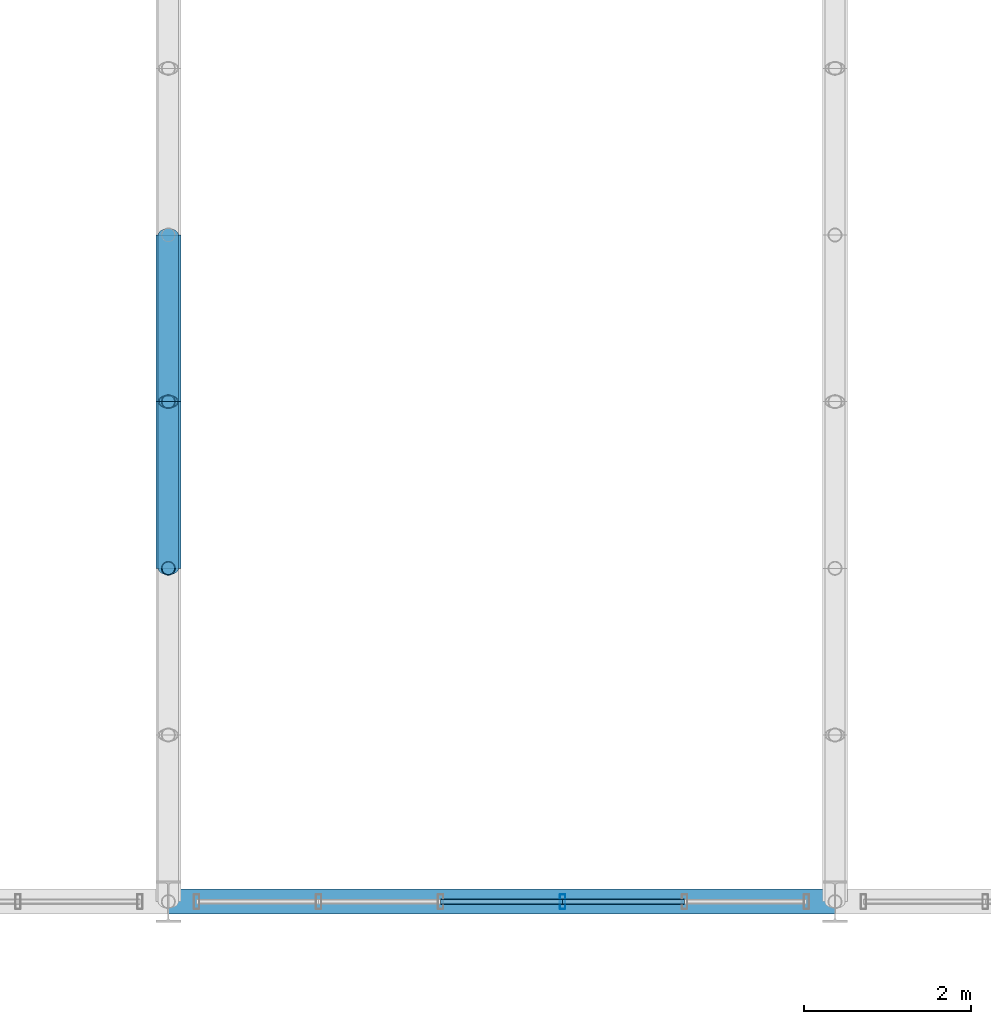
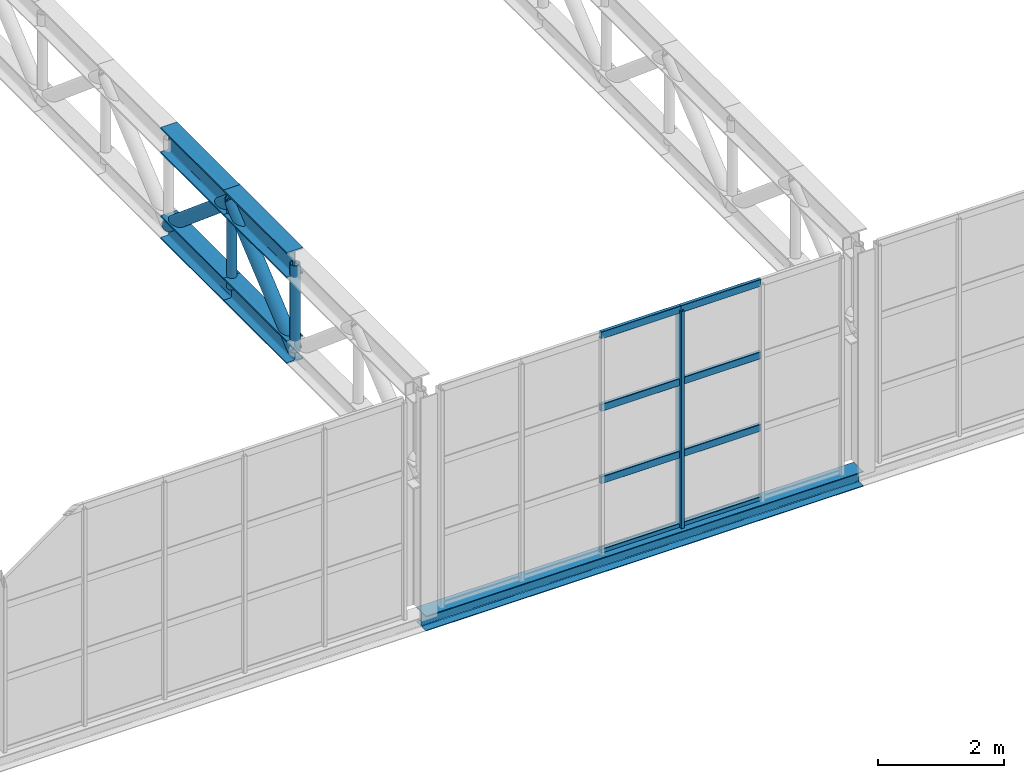
# One storey, part 38 of 143: 17 members, 1 beam, 1 element without a shape of its own.
"""IFC4 building model written with IfcOpenShell, lengths in metres."""

from ifc_helpers import new_model, si_unit, derived_unit, direction, frame, origin, origin_2d, place, context, subcontext, project, spatial, hollow_rectangle, hollow_circle, i_section, extrude, material, material_profile, profile_set, type_object, element, aggregate, save


model = new_model("IFC4")

# Units and contexts
model_context = context("Model", 3, precision=1e-05, world=origin(), true_north=direction((0.0, 1.0)))
body_context = subcontext(model_context, "Body", "Model", "MODEL_VIEW")
ifc_project = project(units=[si_unit("LENGTHUNIT", "METRE"), si_unit("AREAUNIT", "SQUARE_METRE"), si_unit("VOLUMEUNIT", "CUBIC_METRE"), si_unit("PLANEANGLEUNIT", "RADIAN"), si_unit("MASSUNIT", "GRAM", prefix="KILO"), derived_unit("THERMALTRANSMITTANCEUNIT", [(si_unit("POWERUNIT", "WATT"), 1), (si_unit("LENGTHUNIT", "METRE"), -2), (si_unit("THERMODYNAMICTEMPERATUREUNIT", "KELVIN"), -1)])], contexts=[model_context])

# Site, building, storey
site_placement = place(None, origin())
site = spatial("IfcSite", under=ifc_project, at=site_placement, CompositionType="ELEMENT")
building_placement = place(site_placement, origin())
building = spatial("IfcBuilding", under=site, at=building_placement, Name="Keldorne Ridge Multi-Sports Centre", CompositionType="ELEMENT")
storey_placement = place(building_placement, frame((0.0, 0.0, 4.800048828125)))
storey = spatial("IfcBuildingStorey", under=building, at=storey_placement, Name="L01", CompositionType="ELEMENT", Elevation=4.800048828125)

# Beam
ifc_material_1 = material(Name="Steel S355", Category="steel")
ifc_material_profile_1 = material_profile(ifc_material_1, i_section(OverallWidth=0.300048828125, OverallDepth=0.2900390625, WebThickness=0.008544921875, FlangeThickness=0.013916015625, FilletRadius=0.027099609375, at=origin_2d()), Name="HEA 300")
ifc_profile_set_1 = profile_set([ifc_material_profile_1], Name="Steel S355")
beam_type = type_object("IfcBeamType", Name="BM-SP-04", PredefinedType="SPANDREL", material=ifc_profile_set_1)
beam_placement = place(storey_placement, frame((112.0, 6.0, -0.150146484375), z_axis=(1.0, 0.0, 0.0), x_axis=(0.0, 1.0, 0.0)))
element("IfcBeam", 1, at=beam_placement, inside=storey, type_object=beam_type, Name="Stacked Courts spandrel L01.6.2", PredefinedType="SPANDREL", context=body_context, shape_type="SweptSolid", body=[
    extrude(i_section(OverallWidth=0.300048828125, OverallDepth=0.2900390625, WebThickness=0.008544921875, FlangeThickness=0.013916015625, FilletRadius=0.027099609375, at=origin_2d()), origin(), (0.0, 0.0, 1.0), 8.0),
])

# Curtain wall, member
ifc_material_2 = material(Name="Anodized aluminium", Category="aluminium")
curtain_wall_type = type_object("IfcCurtainWallType", Name="CW-CW-06", PredefinedType="NOTDEFINED", material=ifc_material_2)
curtain_wall_placement = place(storey_placement, origin())
curtain_wall = element("IfcCurtainWall", 2, at=curtain_wall_placement, inside=storey, type_object=curtain_wall_type, Name="Lower Courts high clerestory 094", PredefinedType="NOTDEFINED")
ifc_material_profile_2 = material_profile(ifc_material_2, hollow_rectangle(XDim=0.06494140625, YDim=0.179931640625, WallThickness=0.00439453125, InnerFilletRadius=0.00439453125, OuterFilletRadius=0.009033203125, at=origin_2d()), Name="ALU MULLION 180x65x4.5")
ifc_profile_set_2 = profile_set([ifc_material_profile_2], Name="Anodized aluminium")
member_type_1 = type_object("IfcMemberType", Name="MEM-ML-01", PredefinedType="MULLION", material=ifc_profile_set_2)
member_1_placement = place(storey_placement, frame((116.73193359375, 6.0, 0.0), z_axis=(0.0, 0.0, 1.0), x_axis=(1.0, 0.0, 0.0)))
member_1 = element("IfcMember", 3, at=member_1_placement, type_object=member_type_1, Name="CW-094 vertical mullion 4", PredefinedType="MULLION", context=body_context, shape_type="SweptSolid", body=[
    extrude(hollow_rectangle(XDim=0.06494140625, YDim=0.179931640625, WallThickness=0.00439453125, InnerFilletRadius=0.00439453125, OuterFilletRadius=0.009033203125, at=origin_2d()), origin(), (0.0, 0.0, 1.0), 4.199951171875),
])

# Members
ifc_material_profile_3 = material_profile(ifc_material_1, i_section(OverallWidth=0.300048828125, OverallDepth=0.5, WebThickness=0.014404296875, FlangeThickness=0.028076171875, FilletRadius=0.027099609375, at=origin_2d()), Name="HEB 500")
ifc_profile_set_3 = profile_set([ifc_material_profile_3], Name="Steel S355")
member_type_2 = type_object("IfcMemberType", Name="MEM-TC-03", PredefinedType="CHORD", material=ifc_profile_set_3)
for number, where, z_axis, x_axis, name in (
    (4, (112.0, 10.0, 4.31005859375), (0.0, 1.0, 0.0), (-1.0, 0.0, 0.0), "Stacked Courts Warren TRUSS WT-L02-02 top chord 3"),
    (5, (112.0, 12.0, 4.31005859375), (0.0, 1.0, 0.0), (-1.0, 0.0, 0.0), "Stacked Courts Warren TRUSS WT-L02-02 top chord 4"),
):
    element("IfcMember", number, at=place(storey_placement, frame(where, z_axis=z_axis, x_axis=x_axis)), inside=storey, type_object=member_type_2, Name=name, PredefinedType="CHORD", context=body_context, shape_type="SweptSolid", body=[
        extrude(i_section(OverallWidth=0.300048828125, OverallDepth=0.5, WebThickness=0.014404296875, FlangeThickness=0.028076171875, FilletRadius=0.027099609375, at=origin_2d()), origin(), (0.0, 0.0, 1.0), 2.0),
    ])
ifc_material_profile_4 = material_profile(ifc_material_1, i_section(OverallWidth=0.300048828125, OverallDepth=0.449951171875, WebThickness=0.013916015625, FlangeThickness=0.02587890625, FilletRadius=0.027099609375, at=origin_2d()), Name="HEB 450")
ifc_profile_set_4 = profile_set([ifc_material_profile_4], Name="Steel S355")
member_type_3 = type_object("IfcMemberType", Name="MEM-TC-04", PredefinedType="CHORD", material=ifc_profile_set_4)
for number, where, z_axis, x_axis, name in (
    (6, (112.0, 10.0, 2.6298828125), (0.0, 1.0, 0.0), (-1.0, 0.0, 0.0), "Stacked Courts Warren TRUSS WT-L02-02 bottom chord 3"),
    (7, (112.0, 12.0, 2.6298828125), (0.0, 1.0, 0.0), (-1.0, 0.0, 0.0), "Stacked Courts Warren TRUSS WT-L02-02 bottom chord 4"),
):
    element("IfcMember", number, at=place(storey_placement, frame(where, z_axis=z_axis, x_axis=x_axis)), inside=storey, type_object=member_type_3, Name=name, PredefinedType="CHORD", context=body_context, shape_type="SweptSolid", body=[
        extrude(i_section(OverallWidth=0.300048828125, OverallDepth=0.449951171875, WebThickness=0.013916015625, FlangeThickness=0.02587890625, FilletRadius=0.027099609375, at=origin_2d()), origin(), (0.0, 0.0, 1.0), 2.0),
    ])
ifc_material_profile_5 = material_profile(ifc_material_1, hollow_circle(Radius=0.122314453125, WallThickness=0.012451171875, at=origin_2d()), Name="CHS 244.5x12.5")
ifc_profile_set_5 = profile_set([ifc_material_profile_5], Name="Steel S355")
member_type_4 = type_object("IfcMemberType", Name="MEM-TD-02", PredefinedType="BRACE", material=ifc_profile_set_5)
for number, where, z_axis, x_axis, name in (
    (8, (112.0, 10.0, 2.6298828125), (0.0, 0.765671721121, 0.643231541108), (-1.0, 0.0, 0.0), "Stacked Courts Warren TRUSS WT-L02-02 diagonal 3"),
    (9, (112.0, 12.0, 4.31005859375), (0.0, 0.765671721121, -0.643231541108), (-1.0, 0.0, 0.0), "Stacked Courts Warren TRUSS WT-L02-02 diagonal 4"),
):
    element("IfcMember", number, at=place(storey_placement, frame(where, z_axis=z_axis, x_axis=x_axis)), inside=storey, type_object=member_type_4, Name=name, PredefinedType="BRACE", context=body_context, shape_type="SweptSolid", body=[
        extrude(hollow_circle(Radius=0.122314453125, WallThickness=0.012451171875, at=origin_2d()), origin(), (0.0, 0.0, 1.0), 2.612060546875),
    ])

# Member
ifc_material_profile_6 = material_profile(ifc_material_2, hollow_rectangle(XDim=0.06494140625, YDim=0.139892578125, WallThickness=0.00439453125, InnerFilletRadius=0.00439453125, OuterFilletRadius=0.009033203125, at=origin_2d()), Name="ALU TRANSOM 140x65x4.5")
ifc_profile_set_6 = profile_set([ifc_material_profile_6], Name="Anodized aluminium")
member_type_5 = type_object("IfcMemberType", Name="MEM-TR-01", PredefinedType="USERDEFINED", material=ifc_profile_set_6)
member_2_placement = place(storey_placement, frame((115.26806640625, 6.0, 0.0), z_axis=(1.0, 0.0, 0.0), x_axis=(0.0, 1.0, 0.0)))
member_2 = element("IfcMember", 10, at=member_2_placement, type_object=member_type_5, Name="CW-094 transom 3.1", ObjectType="TRANSOM", PredefinedType="USERDEFINED", context=body_context, shape_type="SweptSolid", body=[
    extrude(hollow_rectangle(XDim=0.06494140625, YDim=0.139892578125, WallThickness=0.00439453125, InnerFilletRadius=0.00439453125, OuterFilletRadius=0.009033203125, at=origin_2d()), origin(), (0.0, 0.0, 1.0), 1.4638671875),
])

member_3_placement = place(storey_placement, frame((115.26806640625, 6.0, 1.39990234375), z_axis=(1.0, 0.0, 0.0), x_axis=(0.0, 1.0, 0.0)))
member_3 = element("IfcMember", 11, at=member_3_placement, type_object=member_type_5, Name="CW-094 transom 3.2", ObjectType="TRANSOM", PredefinedType="USERDEFINED", context=body_context, shape_type="SweptSolid", body=[
    extrude(hollow_rectangle(XDim=0.06494140625, YDim=0.139892578125, WallThickness=0.00439453125, InnerFilletRadius=0.00439453125, OuterFilletRadius=0.009033203125, at=origin_2d()), origin(), (0.0, 0.0, 1.0), 1.4638671875),
])

member_4_placement = place(storey_placement, frame((115.26806640625, 6.0, 2.800048828125), z_axis=(1.0, 0.0, 0.0), x_axis=(0.0, 1.0, 0.0)))
member_4 = element("IfcMember", 12, at=member_4_placement, type_object=member_type_5, Name="CW-094 transom 3.3", ObjectType="TRANSOM", PredefinedType="USERDEFINED", context=body_context, shape_type="SweptSolid", body=[
    extrude(hollow_rectangle(XDim=0.06494140625, YDim=0.139892578125, WallThickness=0.00439453125, InnerFilletRadius=0.00439453125, OuterFilletRadius=0.009033203125, at=origin_2d()), origin(), (0.0, 0.0, 1.0), 1.4638671875),
])

member_5_placement = place(storey_placement, frame((115.26806640625, 6.0, 4.199951171875), z_axis=(1.0, 0.0, 0.0), x_axis=(0.0, 1.0, 0.0)))
member_5 = element("IfcMember", 13, at=member_5_placement, type_object=member_type_5, Name="CW-094 transom 3.4", ObjectType="TRANSOM", PredefinedType="USERDEFINED", context=body_context, shape_type="SweptSolid", body=[
    extrude(hollow_rectangle(XDim=0.06494140625, YDim=0.139892578125, WallThickness=0.00439453125, InnerFilletRadius=0.00439453125, OuterFilletRadius=0.009033203125, at=origin_2d()), origin(), (0.0, 0.0, 1.0), 1.4638671875),
])

member_6_placement = place(storey_placement, frame((116.73193359375, 6.0, 0.0), z_axis=(1.0, 0.0, 0.0), x_axis=(0.0, 1.0, 0.0)))
member_6 = element("IfcMember", 14, at=member_6_placement, type_object=member_type_5, Name="CW-094 transom 4.1", ObjectType="TRANSOM", PredefinedType="USERDEFINED", context=body_context, shape_type="SweptSolid", body=[
    extrude(hollow_rectangle(XDim=0.06494140625, YDim=0.139892578125, WallThickness=0.00439453125, InnerFilletRadius=0.00439453125, OuterFilletRadius=0.009033203125, at=origin_2d()), origin(), (0.0, 0.0, 1.0), 1.464111328125),
])

member_7_placement = place(storey_placement, frame((116.73193359375, 6.0, 1.39990234375), z_axis=(1.0, 0.0, 0.0), x_axis=(0.0, 1.0, 0.0)))
member_7 = element("IfcMember", 15, at=member_7_placement, type_object=member_type_5, Name="CW-094 transom 4.2", ObjectType="TRANSOM", PredefinedType="USERDEFINED", context=body_context, shape_type="SweptSolid", body=[
    extrude(hollow_rectangle(XDim=0.06494140625, YDim=0.139892578125, WallThickness=0.00439453125, InnerFilletRadius=0.00439453125, OuterFilletRadius=0.009033203125, at=origin_2d()), origin(), (0.0, 0.0, 1.0), 1.464111328125),
])

member_8_placement = place(storey_placement, frame((116.73193359375, 6.0, 2.800048828125), z_axis=(1.0, 0.0, 0.0), x_axis=(0.0, 1.0, 0.0)))
member_8 = element("IfcMember", 16, at=member_8_placement, type_object=member_type_5, Name="CW-094 transom 4.3", ObjectType="TRANSOM", PredefinedType="USERDEFINED", context=body_context, shape_type="SweptSolid", body=[
    extrude(hollow_rectangle(XDim=0.06494140625, YDim=0.139892578125, WallThickness=0.00439453125, InnerFilletRadius=0.00439453125, OuterFilletRadius=0.009033203125, at=origin_2d()), origin(), (0.0, 0.0, 1.0), 1.464111328125),
])

member_9_placement = place(storey_placement, frame((116.73193359375, 6.0, 4.199951171875), z_axis=(1.0, 0.0, 0.0), x_axis=(0.0, 1.0, 0.0)))
member_9 = element("IfcMember", 17, at=member_9_placement, type_object=member_type_5, Name="CW-094 transom 4.4", ObjectType="TRANSOM", PredefinedType="USERDEFINED", context=body_context, shape_type="SweptSolid", body=[
    extrude(hollow_rectangle(XDim=0.06494140625, YDim=0.139892578125, WallThickness=0.00439453125, InnerFilletRadius=0.00439453125, OuterFilletRadius=0.009033203125, at=origin_2d()), origin(), (0.0, 0.0, 1.0), 1.464111328125),
])

aggregate(curtain_wall, [member_1, member_2, member_3, member_4, member_5, member_6, member_7, member_8, member_9])

# Members
ifc_material_profile_7 = material_profile(ifc_material_1, hollow_circle(Radius=0.084228515625, WallThickness=0.010009765625, at=origin_2d()), Name="CHS 168.3x10")
ifc_profile_set_7 = profile_set([ifc_material_profile_7], Name="Steel S355")
member_type_6 = type_object("IfcMemberType", Name="MEM-TV-01", PredefinedType="STRUT", material=ifc_profile_set_7)
for number, where, z_axis, x_axis, name in (
    (18, (112.0, 10.0, 2.6298828125), (0.0, 0.0, 1.0), (1.0, 0.0, 0.0), "Stacked Courts Warren TRUSS WT-L02-02 post 3"),
    (19, (112.0, 12.0, 2.6298828125), (0.0, 0.0, 1.0), (1.0, 0.0, 0.0), "Stacked Courts Warren TRUSS WT-L02-02 post 4"),
):
    element("IfcMember", number, at=place(storey_placement, frame(where, z_axis=z_axis, x_axis=x_axis)), inside=storey, type_object=member_type_6, Name=name, PredefinedType="STRUT", context=body_context, shape_type="SweptSolid", body=[
        extrude(hollow_circle(Radius=0.084228515625, WallThickness=0.010009765625, at=origin_2d()), origin(), (0.0, 0.0, 1.0), 1.68017578125),
    ])

save(model, "model.ifc")
